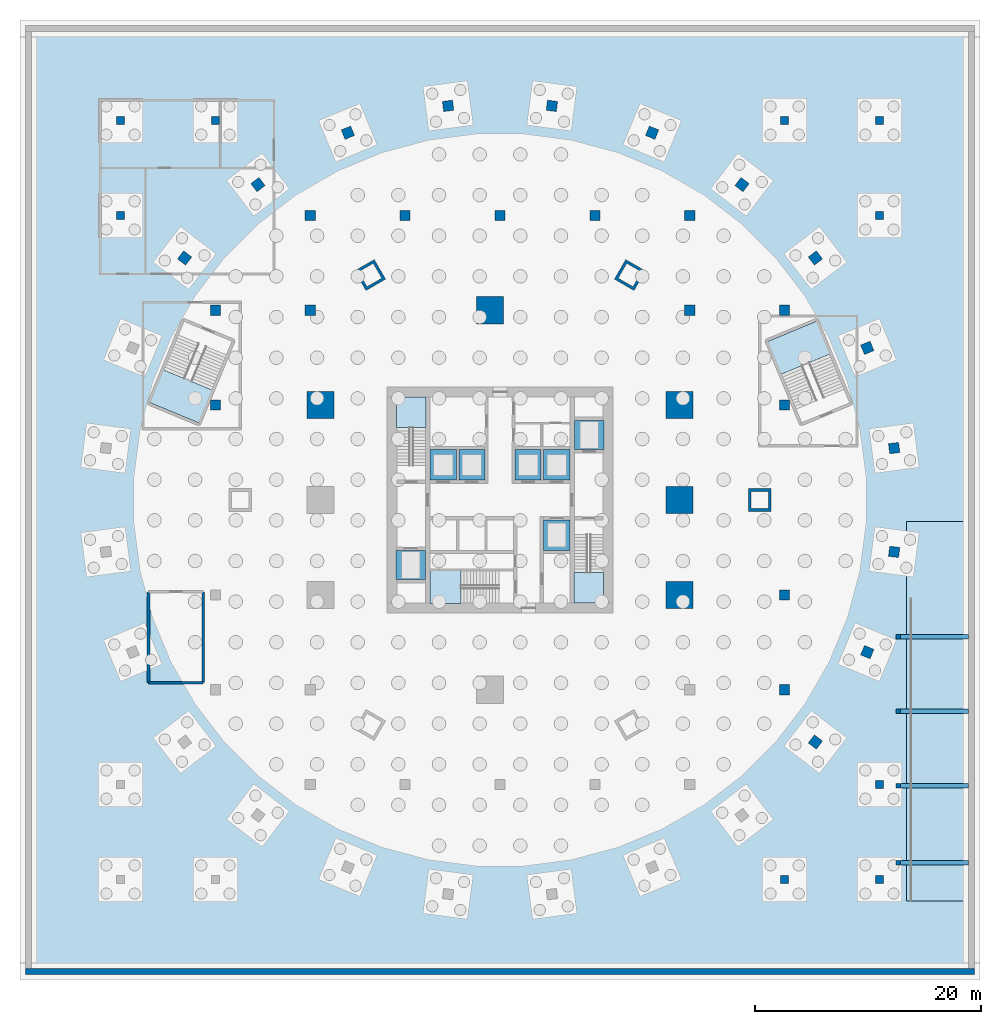
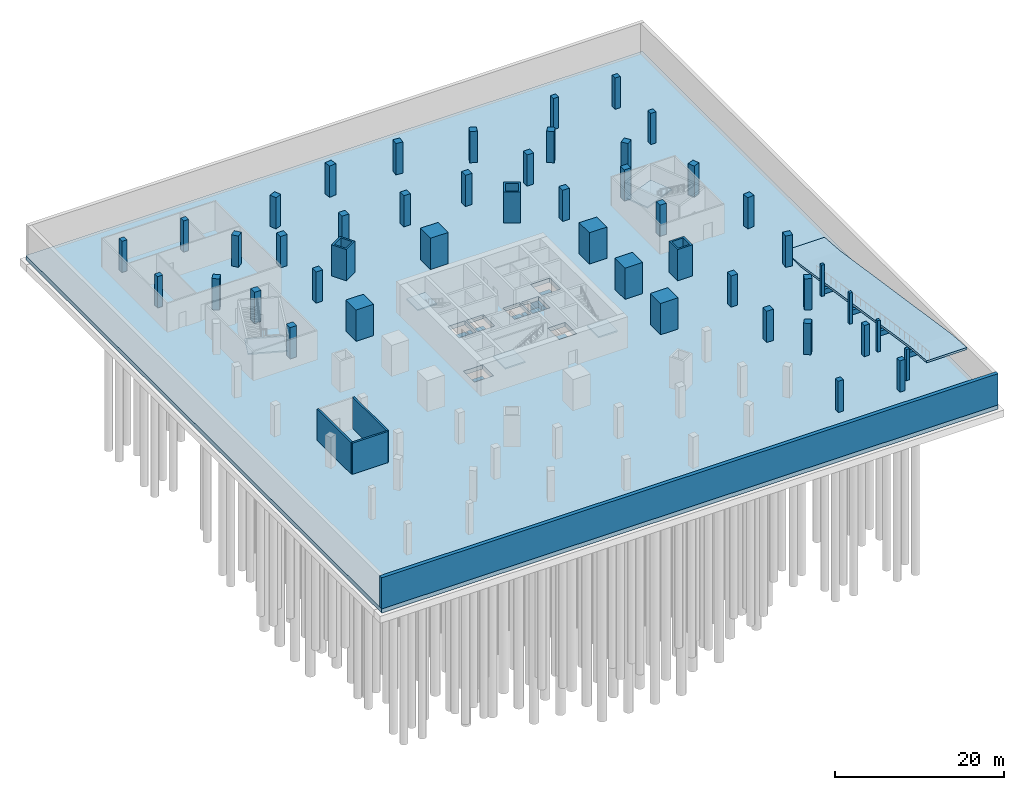
# One storey, part 3 of 12: 47 columns, 14 slabs, 4 beams, 4 walls, 5 elements without a shape of their own.
"""IFC4 building model written with IfcOpenShell, lengths in metres."""

from ifc_helpers import new_model, si_unit, direction, frame, frame_2d, origin, origin_2d, place, context, subcontext, project, spatial, polyline, rectangle, hollow_rectangle, outline, extrude, material, layer, layer_set, material_profile, profile_set, type_object, element, aggregate, save


model = new_model("IFC4")

# Units and contexts
model_context = context("Model", 3, precision=1e-05, world=origin(), true_north=direction((0.0, 1.0)))
body_context = subcontext(model_context, "Body", "Model", "MODEL_VIEW")
ifc_project = project(units=[si_unit("LENGTHUNIT", "METRE"), si_unit("AREAUNIT", "SQUARE_METRE"), si_unit("VOLUMEUNIT", "CUBIC_METRE"), si_unit("PLANEANGLEUNIT", "RADIAN"), si_unit("MASSUNIT", "GRAM", prefix="KILO")], contexts=[model_context])

# Site, building, storey
site_placement = place(None, origin())
site = spatial("IfcSite", under=ifc_project, at=site_placement, CompositionType="ELEMENT")
building_placement = place(site_placement, origin())
building = spatial("IfcBuilding", under=site, at=building_placement, Name="Golbaran Civic Tower", CompositionType="ELEMENT")
storey_placement = place(building_placement, frame((0.0, 0.0, -13.5)))
storey = spatial("IfcBuildingStorey", under=building, at=storey_placement, Name="B3", CompositionType="ELEMENT", Elevation=-13.5)

# Columns
ifc_material_1 = material(Name="Concrete C50/60", Category="concrete")
ifc_material_profile_1 = material_profile(ifc_material_1, rectangle(XDim=0.699951171875, YDim=0.699951171875, at=origin_2d()), Name="RC 700x700")
ifc_profile_set_1 = profile_set([ifc_material_profile_1], Name="Concrete C50/60")
column_type_1 = type_object("IfcColumnType", Name="BASEMENT COLUMN RC 700x700", PredefinedType="COLUMN", material=ifc_profile_set_1)
for number, where, z_axis, x_axis, name in (
    (1, (-33.60009765625, 25.199951171875, 0.0), (0.0, 0.0, 1.0), (1.0, 0.0, 0.0), "Column 2/J B3"),
    (2, (-33.60009765625, 33.60009765625, 0.0), (0.0, 0.0, 1.0), (1.0, 0.0, 0.0), "Column 2/K B3"),
    (3, (-25.199951171875, 33.60009765625, 0.0), (0.0, 0.0, 1.0), (1.0, 0.0, 0.0), "Column 3/K B3"),
    (4, (25.199951171875, -33.60009765625, 0.0), (0.0, 0.0, 1.0), (1.0, 0.0, 0.0), "Column 9/B B3"),
    (5, (25.199951171875, 33.60009765625, 0.0), (0.0, 0.0, 1.0), (1.0, 0.0, 0.0), "Column 9/K B3"),
    (6, (33.60009765625, -33.60009765625, 0.0), (0.0, 0.0, 1.0), (1.0, 0.0, 0.0), "Column 10/B B3"),
    (7, (33.60009765625, -25.199951171875, 0.0), (0.0, 0.0, 1.0), (1.0, 0.0, 0.0), "Column 10/C B3"),
    (8, (33.60009765625, 25.199951171875, 0.0), (0.0, 0.0, 1.0), (1.0, 0.0, 0.0), "Column 10/J B3"),
    (9, (33.60009765625, 33.60009765625, 0.0), (0.0, 0.0, 1.0), (1.0, 0.0, 0.0), "Column 10/K B3"),
):
    element("IfcColumn", number, at=place(storey_placement, frame(where, z_axis=z_axis, x_axis=x_axis)), inside=storey, type_object=column_type_1, Name=name, PredefinedType="COLUMN", context=body_context, shape_type="SweptSolid", body=[
        extrude(rectangle(XDim=0.699951171875, YDim=0.699951171875, at=origin_2d()), origin(), (0.0, 0.0, 1.0), 4.5),
    ])
ifc_material_2 = material(Name="Steel S355", Category="steel")
ifc_material_profile_2 = material_profile(ifc_material_2, hollow_rectangle(XDim=2.0, YDim=2.0, WallThickness=0.239990234375, at=origin_2d()), Name="BOX 2000x2000x240")
ifc_profile_set_2 = profile_set([ifc_material_profile_2], Name="Steel S355")
column_type_2 = type_object("IfcColumnType", Name="MEGA COLUMN BOX 2000x2000x240", PredefinedType="COLUMN", material=ifc_profile_set_2)
for number, where, z_axis, x_axis, name in (
    (10, (23.0, 0.0, 0.0), (0.0, 0.0, 1.0), (1.0, 0.0, 0.0), "Column mega 0 B3"),
    (11, (11.5, 19.918701171875, 0.0), (0.0, 0.0, 1.0), (0.5, 0.866025403784, 0.0), "Column mega 60 B3"),
    (12, (-11.5, 19.918701171875, 0.0), (0.0, 0.0, 1.0), (-0.5, 0.866025403784, 0.0), "Column mega 120 B3"),
):
    element("IfcColumn", number, at=place(storey_placement, frame(where, z_axis=z_axis, x_axis=x_axis)), inside=storey, type_object=column_type_2, Name=name, PredefinedType="COLUMN", context=body_context, shape_type="SweptSolid", body=[
        extrude(hollow_rectangle(XDim=2.0, YDim=2.0, WallThickness=0.239990234375, at=origin_2d()), origin(), (0.0, 0.0, 1.0), 4.5),
    ])
ifc_material_profile_3 = material_profile(ifc_material_1, rectangle(XDim=0.89990234375, YDim=0.89990234375, at=origin_2d()), Name="RC 900x900")
ifc_profile_set_3 = profile_set([ifc_material_profile_3], Name="Concrete C50/60")
column_type_3 = type_object("IfcColumnType", Name="PODIUM COLUMN RC 900x900", PredefinedType="COLUMN", material=ifc_profile_set_3)
for number, where, z_axis, x_axis, name in (
    (13, (-25.199951171875, 8.39990234375, 0.0), (0.0, 0.0, 1.0), (1.0, 0.0, 0.0), "Column 3/G B3"),
    (14, (-25.199951171875, 16.800048828125, 0.0), (0.0, 0.0, 1.0), (1.0, 0.0, 0.0), "Column 3/H B3"),
    (15, (-16.800048828125, 16.800048828125, 0.0), (0.0, 0.0, 1.0), (1.0, 0.0, 0.0), "Column 4/H B3"),
    (16, (-16.800048828125, 25.199951171875, 0.0), (0.0, 0.0, 1.0), (1.0, 0.0, 0.0), "Column 4/J B3"),
    (17, (-8.39990234375, 25.199951171875, 0.0), (0.0, 0.0, 1.0), (1.0, 0.0, 0.0), "Column 5/J B3"),
    (18, (0.0, 25.199951171875, 0.0), (0.0, 0.0, 1.0), (1.0, 0.0, 0.0), "Column 6/J B3"),
    (19, (8.39990234375, 25.199951171875, 0.0), (0.0, 0.0, 1.0), (1.0, 0.0, 0.0), "Column 7/J B3"),
    (20, (16.800048828125, 16.800048828125, 0.0), (0.0, 0.0, 1.0), (1.0, 0.0, 0.0), "Column 8/H B3"),
    (21, (16.800048828125, 25.199951171875, 0.0), (0.0, 0.0, 1.0), (1.0, 0.0, 0.0), "Column 8/J B3"),
    (22, (25.199951171875, -16.800048828125, 0.0), (0.0, 0.0, 1.0), (1.0, 0.0, 0.0), "Column 9/D B3"),
    (23, (25.199951171875, -8.39990234375, 0.0), (0.0, 0.0, 1.0), (1.0, 0.0, 0.0), "Column 9/E B3"),
    (24, (25.199951171875, 8.39990234375, 0.0), (0.0, 0.0, 1.0), (1.0, 0.0, 0.0), "Column 9/G B3"),
    (25, (25.199951171875, 16.800048828125, 0.0), (0.0, 0.0, 1.0), (1.0, 0.0, 0.0), "Column 9/H B3"),
):
    element("IfcColumn", number, at=place(storey_placement, frame(where, z_axis=z_axis, x_axis=x_axis)), inside=storey, type_object=column_type_3, Name=name, PredefinedType="COLUMN", context=body_context, shape_type="SweptSolid", body=[
        extrude(rectangle(XDim=0.89990234375, YDim=0.89990234375, at=origin_2d()), origin(), (0.0, 0.0, 1.0), 4.5),
    ])
ifc_material_profile_4 = material_profile(ifc_material_1, rectangle(XDim=2.39990234375, YDim=2.39990234375, at=origin_2d()), Name="RC 2400x2400")
ifc_profile_set_4 = profile_set([ifc_material_profile_4], Name="Concrete C50/60")
column_type_4 = type_object("IfcColumnType", Name="PODIUM COLUMN UNDER TOWER RC 2400x2400", PredefinedType="COLUMN", material=ifc_profile_set_4)
for number, where, z_axis, x_axis, name in (
    (26, (-15.89990234375, 8.39990234375, 0.0), (0.0, 0.0, 1.0), (1.0, 0.0, 0.0), "Column 4/G B3"),
    (27, (-0.89990234375, 16.800048828125, 0.0), (0.0, 0.0, 1.0), (1.0, 0.0, 0.0), "Column 6/H B3"),
    (28, (15.89990234375, -8.39990234375, 0.0), (0.0, 0.0, 1.0), (1.0, 0.0, 0.0), "Column 8/E B3"),
    (29, (15.89990234375, 0.0, 0.0), (0.0, 0.0, 1.0), (1.0, 0.0, 0.0), "Column 8/F B3"),
    (30, (15.89990234375, 8.39990234375, 0.0), (0.0, 0.0, 1.0), (1.0, 0.0, 0.0), "Column 8/G B3"),
):
    element("IfcColumn", number, at=place(storey_placement, frame(where, z_axis=z_axis, x_axis=x_axis)), inside=storey, type_object=column_type_4, Name=name, PredefinedType="COLUMN", context=body_context, shape_type="SweptSolid", body=[
        extrude(rectangle(XDim=2.39990234375, YDim=2.39990234375, at=origin_2d()), origin(), (0.0, 0.0, 1.0), 4.5),
    ])
ifc_material_profile_5 = material_profile(ifc_material_1, rectangle(XDim=0.89990234375, YDim=0.89990234375, at=origin_2d()), Name="RC 900x900")
ifc_profile_set_5 = profile_set([ifc_material_profile_5], Name="Concrete C50/60")
column_type_5 = type_object("IfcColumnType", Name="PODIUM EDGE COLUMN RC 900x900", PredefinedType="COLUMN", material=ifc_profile_set_5)
for number, where, z_axis, x_axis, name in (
    (31, (34.89892578125, 4.594482421875, 0.0), (0.0, 0.0, 1.0), (0.991444861374, 0.13052619222, 0.0), "Column edge 7.5 B3"),
    (32, (32.5205078125, 13.470458984375, 0.0), (0.0, 0.0, 1.0), (0.923879532511, 0.382683432365, 0.0), "Column edge 22.5 B3"),
    (33, (27.926025390625, 21.428466796875, 0.0), (0.0, 0.0, 1.0), (0.793353340291, 0.608761429009, 0.0), "Column edge 37.5 B3"),
    (34, (21.428466796875, 27.926025390625, 0.0), (0.0, 0.0, 1.0), (0.608761429009, 0.793353340291, 0.0), "Column edge 52.5 B3"),
    (35, (13.470458984375, 32.5205078125, 0.0), (0.0, 0.0, 1.0), (0.382683432365, 0.923879532511, 0.0), "Column edge 67.5 B3"),
    (36, (4.594482421875, 34.89892578125, 0.0), (0.0, 0.0, 1.0), (0.13052619222, 0.991444861374, 0.0), "Column edge 82.5 B3"),
    (37, (-4.594482421875, 34.89892578125, 0.0), (0.0, 0.0, 1.0), (-0.13052619222, 0.991444861374, 0.0), "Column edge 97.5 B3"),
    (38, (-13.470458984375, 32.5205078125, 0.0), (0.0, 0.0, 1.0), (-0.382683432365, 0.923879532511, 0.0), "Column edge 112.5 B3"),
    (39, (-21.428466796875, 27.926025390625, 0.0), (0.0, 0.0, 1.0), (-0.608761429009, 0.793353340291, 0.0), "Column edge 127.5 B3"),
    (40, (-27.926025390625, 21.428466796875, 0.0), (0.0, 0.0, 1.0), (-0.793353340291, 0.608761429009, 0.0), "Column edge 142.5 B3"),
    (41, (27.926025390625, -21.428466796875, 0.0), (0.0, 0.0, 1.0), (0.793353340291, -0.608761429009, 0.0), "Column edge 322.5 B3"),
    (42, (32.5205078125, -13.470458984375, 0.0), (0.0, 0.0, 1.0), (0.923879532511, -0.382683432365, 0.0), "Column edge 337.5 B3"),
    (43, (34.89892578125, -4.594482421875, 0.0), (0.0, 0.0, 1.0), (0.991444861374, -0.13052619222, 0.0), "Column edge 352.5 B3"),
):
    element("IfcColumn", number, at=place(storey_placement, frame(where, z_axis=z_axis, x_axis=x_axis)), inside=storey, type_object=column_type_5, Name=name, PredefinedType="COLUMN", context=body_context, shape_type="SweptSolid", body=[
        extrude(rectangle(XDim=0.89990234375, YDim=0.89990234375, at=origin_2d()), origin(), (0.0, 0.0, 1.0), 4.5),
    ])
ifc_material_profile_6 = material_profile(ifc_material_1, rectangle(XDim=0.39990234375, YDim=0.39990234375, at=origin_2d()), Name="RC 400x400")
ifc_profile_set_6 = profile_set([ifc_material_profile_6], Name="Concrete C50/60")
column_type_6 = type_object("IfcColumnType", Name="RAMP COLUMN RC 400x400", PredefinedType="COLUMN", material=ifc_profile_set_6)
for number, where, z_axis, x_axis, name in (
    (44, (35.280029296875, -32.10009765625, 0.0), (0.0, 0.0, 1.0), (1.0, 0.0, 0.0), "Ramp column 1 B3"),
    (45, (35.280029296875, -25.300048828125, 0.0), (0.0, 0.0, 1.0), (1.0, 0.0, 0.0), "Ramp column 2 B3"),
    (46, (35.280029296875, -18.699951171875, 0.0), (0.0, 0.0, 1.0), (1.0, 0.0, 0.0), "Ramp column 3 B3"),
    (47, (35.280029296875, -12.10009765625, 0.0), (0.0, 0.0, 1.0), (1.0, 0.0, 0.0), "Ramp column 4 B3"),
):
    element("IfcColumn", number, at=place(storey_placement, frame(where, z_axis=z_axis, x_axis=x_axis)), inside=storey, type_object=column_type_6, Name=name, PredefinedType="COLUMN", context=body_context, shape_type="SweptSolid", body=[
        extrude(rectangle(XDim=0.39990234375, YDim=0.39990234375, at=origin_2d()), origin(), (0.0, 0.0, 1.0), 4.5),
    ])

# Beams
ifc_material_profile_7 = material_profile(ifc_material_1, rectangle(XDim=0.39990234375, YDim=0.699951171875, at=origin_2d()), Name="RC 400x700")
ifc_profile_set_7 = profile_set([ifc_material_profile_7], Name="Concrete C50/60")
beam_type = type_object("IfcBeamType", Name="RAMP BEAM RC 400x700", PredefinedType="BEAM", material=ifc_profile_set_7)
for number, where, z_axis, x_axis, name in (
    (48, (35.280029296875, -32.10009765625, 3.580078125), (1.0, 0.0, 0.0), (0.0, 1.0, 0.0), "Ramp beam 1 B3"),
    (49, (35.280029296875, -25.300048828125, 2.56005859375), (1.0, 0.0, 0.0), (0.0, 1.0, 0.0), "Ramp beam 2 B3"),
    (50, (35.280029296875, -18.699951171875, 1.570068359375), (1.0, 0.0, 0.0), (0.0, 1.0, 0.0), "Ramp beam 3 B3"),
    (51, (35.280029296875, -12.10009765625, 0.580078125), (1.0, 0.0, 0.0), (0.0, 1.0, 0.0), "Ramp beam 4 B3"),
):
    element("IfcBeam", number, at=place(storey_placement, frame(where, z_axis=z_axis, x_axis=x_axis)), inside=storey, type_object=beam_type, Name=name, PredefinedType="BEAM", context=body_context, shape_type="SweptSolid", body=[
        extrude(rectangle(XDim=0.39990234375, YDim=0.699951171875, at=origin_2d()), origin(), (0.0, 0.0, 1.0), 6.219970703125),
    ])

# Slabs
ifc_material_3 = material(Name="Concrete C35/45", Category="concrete")
ifc_layer_1 = layer(ifc_material_3, 0.60009765625, Name="Concrete C35/45")
ifc_layer_set_1 = layer_set([ifc_layer_1], Name="Concrete C35/45")
slab_type_1 = type_object("IfcSlabType", Name="BASEMENT SLAB 600", PredefinedType="BASESLAB", material=ifc_layer_set_1)
slab_1_placement = place(storey_placement, frame((0.0, 0.0, -0.60009765625)))
element("IfcSlab", 52, at=slab_1_placement, inside=storey, type_object=slab_type_1, Name="Lowest basement slab", PredefinedType="BASESLAB", context=body_context, shape_type="SweptSolid", body=[
    extrude(outline(polyline([(-42.0, 42.0), (42.0, 42.0), (42.0, -42.0), (-42.0, -42.0), (-42.0, 42.0)]), holes=[polyline([(6.60009765625, 4.449951171875), (9.199951171875, 4.449951171875), (9.199951171875, 7.050048828125), (6.60009765625, 7.050048828125), (6.60009765625, 4.449951171875)]), polyline([(3.85009765625, -4.449951171875), (6.199951171875, -4.449951171875), (6.199951171875, -1.75), (3.85009765625, -1.75), (3.85009765625, -4.449951171875)]), polyline([(3.85009765625, 1.75), (6.199951171875, 1.75), (6.199951171875, 4.449951171875), (3.85009765625, 4.449951171875), (3.85009765625, 1.75)]), polyline([(1.35009765625, 1.75), (3.64990234375, 1.75), (3.64990234375, 4.449951171875), (1.35009765625, 4.449951171875), (1.35009765625, 1.75)]), polyline([(-3.64990234375, 1.75), (-1.35009765625, 1.75), (-1.35009765625, 4.449951171875), (-3.64990234375, 4.449951171875), (-3.64990234375, 1.75)]), polyline([(-6.199951171875, 1.75), (-3.85009765625, 1.75), (-3.85009765625, 4.449951171875), (-6.199951171875, 4.449951171875), (-6.199951171875, 1.75)]), polyline([(-6.60009765625, -7.050048828125), (-6.60009765625, -4.449951171875), (-9.199951171875, -4.449951171875), (-9.199951171875, -7.050048828125), (-6.60009765625, -7.050048828125)])]), origin(), (0.0, 0.0, 1.0), 0.60009765625),
])
ifc_material_4 = material(Name="Concrete C40/50", Category="concrete")
ifc_layer_2 = layer(ifc_material_4, 0.60009765625, Name="Concrete C40/50")
ifc_layer_set_2 = layer_set([ifc_layer_2], Name="Concrete C40/50")
slab_type_2 = type_object("IfcSlabType", Name="LIFT PIT BASE 600", PredefinedType="BASESLAB", material=ifc_layer_set_2)
slab_2_placement = place(storey_placement, frame((0.0, 0.0, -3.60009765625)))
element("IfcSlab", 53, at=slab_2_placement, inside=storey, type_object=slab_type_2, Name="Lift pit base 1", PredefinedType="BASESLAB", context=body_context, shape_type="SweptSolid", body=[
    extrude(outline(polyline([(-6.199951171875, 1.75), (-3.85009765625, 1.75), (-3.85009765625, 4.449951171875), (-6.199951171875, 4.449951171875), (-6.199951171875, 1.75)])), origin(), (0.0, 0.0, 1.0), 2.0),
])
slab_3_placement = place(storey_placement, frame((0.0, 0.0, -3.60009765625)))
element("IfcSlab", 54, at=slab_3_placement, inside=storey, type_object=slab_type_2, Name="Lift pit base 2", PredefinedType="BASESLAB", context=body_context, shape_type="SweptSolid", body=[
    extrude(outline(polyline([(-3.64990234375, 1.75), (-1.35009765625, 1.75), (-1.35009765625, 4.449951171875), (-3.64990234375, 4.449951171875), (-3.64990234375, 1.75)])), origin(), (0.0, 0.0, 1.0), 2.0),
])
slab_4_placement = place(storey_placement, frame((0.0, 0.0, -3.60009765625)))
element("IfcSlab", 55, at=slab_4_placement, inside=storey, type_object=slab_type_2, Name="Lift pit base 3", PredefinedType="BASESLAB", context=body_context, shape_type="SweptSolid", body=[
    extrude(outline(polyline([(1.35009765625, 1.75), (3.64990234375, 1.75), (3.64990234375, 4.449951171875), (1.35009765625, 4.449951171875), (1.35009765625, 1.75)])), origin(), (0.0, 0.0, 1.0), 2.0),
])
slab_5_placement = place(storey_placement, frame((0.0, 0.0, -3.60009765625)))
element("IfcSlab", 56, at=slab_5_placement, inside=storey, type_object=slab_type_2, Name="Lift pit base 4", PredefinedType="BASESLAB", context=body_context, shape_type="SweptSolid", body=[
    extrude(outline(polyline([(3.85009765625, 1.75), (6.199951171875, 1.75), (6.199951171875, 4.449951171875), (3.85009765625, 4.449951171875), (3.85009765625, 1.75)])), origin(), (0.0, 0.0, 1.0), 2.0),
])
slab_6_placement = place(storey_placement, frame((0.0, 0.0, -3.60009765625)))
element("IfcSlab", 57, at=slab_6_placement, inside=storey, type_object=slab_type_2, Name="Lift pit base 5", PredefinedType="BASESLAB", context=body_context, shape_type="SweptSolid", body=[
    extrude(outline(polyline([(3.85009765625, -4.449951171875), (6.199951171875, -4.449951171875), (6.199951171875, -1.75), (3.85009765625, -1.75), (3.85009765625, -4.449951171875)])), origin(), (0.0, 0.0, 1.0), 2.0),
])
slab_7_placement = place(storey_placement, frame((0.0, 0.0, -3.60009765625)))
element("IfcSlab", 58, at=slab_7_placement, inside=storey, type_object=slab_type_2, Name="Lift pit base 6", PredefinedType="BASESLAB", context=body_context, shape_type="SweptSolid", body=[
    extrude(outline(polyline([(-9.199951171875, -7.050048828125), (-6.60009765625, -7.050048828125), (-6.60009765625, -4.449951171875), (-9.199951171875, -4.449951171875), (-9.199951171875, -7.050048828125)])), origin(), (0.0, 0.0, 1.0), 2.0),
])
slab_8_placement = place(storey_placement, frame((0.0, 0.0, -3.60009765625)))
element("IfcSlab", 59, at=slab_8_placement, inside=storey, type_object=slab_type_2, Name="Lift pit base 7", PredefinedType="BASESLAB", context=body_context, shape_type="SweptSolid", body=[
    extrude(outline(polyline([(6.60009765625, 4.449951171875), (9.199951171875, 4.449951171875), (9.199951171875, 7.050048828125), (6.60009765625, 7.050048828125), (6.60009765625, 4.449951171875)])), origin(), (0.0, 0.0, 1.0), 2.0),
])

# Stair, slab
stair_type_1 = type_object("IfcStairType", Name="EXIT STAIR 2500 x 7350, 4500 RISE", PredefinedType="HALF_TURN_STAIR", material=ifc_material_3)
stair_1_placement = place(storey_placement, origin())
stair_1 = element("IfcStair", 60, at=stair_1_placement, inside=storey, type_object=stair_type_1, Name="Stair S1 B3", PredefinedType="HALF_TURN_STAIR")
ifc_layer_3 = layer(ifc_material_3, 0.199951171875, Name="Concrete C35/45")
ifc_layer_set_3 = layer_set([ifc_layer_3], Name="Concrete C35/45")
slab_type_3 = type_object("IfcSlabType", Name="STAIR LANDING 200", PredefinedType="LANDING", material=ifc_layer_set_3)
slab_9_placement = place(storey_placement, frame((0.0, 0.0, 2.050048828125)))
slab_9 = element("IfcSlab", 61, at=slab_9_placement, type_object=slab_type_3, Name="ST25074-45 landing 1", PredefinedType="LANDING", context=body_context, shape_type="SweptSolid", body=[
    extrude(outline(polyline([(-9.14990234375, 6.405029296875), (-9.14990234375, 9.10009765625), (-6.550048828125, 9.10009765625), (-6.550048828125, 6.405029296875), (-9.14990234375, 6.405029296875)])), origin(), (0.0, 0.0, 1.0), 0.199951171875),
])
aggregate(stair_1, [slab_9])

stair_2_placement = place(storey_placement, origin())
stair_2 = element("IfcStair", 62, at=stair_2_placement, inside=storey, type_object=stair_type_1, Name="Stair S2 B3", PredefinedType="HALF_TURN_STAIR")
slab_10_placement = place(storey_placement, frame((0.0, 0.0, 2.050048828125)))
slab_10 = element("IfcSlab", 63, at=slab_10_placement, type_object=slab_type_3, Name="ST25074-45 landing 1", PredefinedType="LANDING", context=body_context, shape_type="SweptSolid", body=[
    extrude(outline(polyline([(9.14990234375, -6.405029296875), (9.14990234375, -9.10009765625), (6.550048828125, -9.10009765625), (6.550048828125, -6.405029296875), (9.14990234375, -6.405029296875)])), origin(), (0.0, 0.0, 1.0), 0.199951171875),
])
aggregate(stair_2, [slab_10])

stair_type_2 = type_object("IfcStairType", Name="EXIT STAIR 2800 x 7400, 4500 RISE", PredefinedType="HALF_TURN_STAIR", material=ifc_material_3)
stair_3_placement = place(storey_placement, origin())
stair_3 = element("IfcStair", 64, at=stair_3_placement, inside=storey, type_object=stair_type_2, Name="Stair S3 B3", PredefinedType="HALF_TURN_STAIR")
slab_11_placement = place(storey_placement, frame((0.0, 0.0, 2.050048828125)))
slab_11 = element("IfcSlab", 65, at=slab_11_placement, type_object=slab_type_3, Name="ST28074-45 landing 1", PredefinedType="LANDING", context=body_context, shape_type="SweptSolid", body=[
    extrude(outline(polyline([(-3.455078125, -9.14990234375), (-6.199951171875, -9.14990234375), (-6.199951171875, -6.25), (-3.455078125, -6.25), (-3.455078125, -9.14990234375)])), origin(), (0.0, 0.0, 1.0), 0.199951171875),
])
aggregate(stair_3, [slab_11])

stair_type_3 = type_object("IfcStairType", Name="EXIT STAIR 4600 x 7800, 4500 RISE", PredefinedType="HALF_TURN_STAIR", material=ifc_material_3)
stair_4_placement = place(storey_placement, origin())
stair_4 = element("IfcStair", 66, at=stair_4_placement, inside=storey, type_object=stair_type_3, Name="Stair P1 B3", PredefinedType="HALF_TURN_STAIR")
slab_12_placement = place(storey_placement, frame((0.0, 0.0, 2.050048828125)))
slab_12 = element("IfcSlab", 67, at=slab_12_placement, type_object=slab_type_3, Name="ST46078-45 landing 1", PredefinedType="LANDING", context=body_context, shape_type="SweptSolid", body=[
    extrude(outline(polyline([(24.88671875, 11.125732421875), (23.683349609375, 14.03125), (28.025390625, 15.829833984375), (29.22900390625, 12.92431640625), (24.88671875, 11.125732421875)])), origin(), (0.0, 0.0, 1.0), 0.199951171875),
])
aggregate(stair_4, [slab_12])

stair_5_placement = place(storey_placement, origin())
stair_5 = element("IfcStair", 68, at=stair_5_placement, inside=storey, type_object=stair_type_3, Name="Stair P2 B3", PredefinedType="HALF_TURN_STAIR")
slab_13_placement = place(storey_placement, frame((0.0, 0.0, 2.050048828125)))
slab_13 = element("IfcSlab", 69, at=slab_13_placement, type_object=slab_type_3, Name="ST46078-45 landing 1", PredefinedType="LANDING", context=body_context, shape_type="SweptSolid", body=[
    extrude(outline(polyline([(-25.464599609375, 9.730712890625), (-26.668212890625, 6.824951171875), (-31.010498046875, 8.62353515625), (-29.806884765625, 11.529296875), (-25.464599609375, 9.730712890625)])), origin(), (0.0, 0.0, 1.0), 0.199951171875),
])
aggregate(stair_5, [slab_13])

# Slab
ifc_layer_4 = layer(ifc_material_3, 0.300048828125, Name="Concrete C35/45")
ifc_layer_set_4 = layer_set([ifc_layer_4], Name="Concrete C35/45")
slab_type_4 = type_object("IfcSlabType", Name="VEHICLE RAMP SLAB 300", PredefinedType="FLOOR", material=ifc_layer_set_4)
slab_14_placement = place(storey_placement, frame((36.0, -35.5, 13.5), z_axis=(0.0, 0.0, 1.0), x_axis=(0.0, 1.0, 0.0)))
element("IfcSlab", 70, at=slab_14_placement, inside=storey, type_object=slab_type_4, Name="Vehicle ramp B2 to B3", PredefinedType="FLOOR", context=body_context, shape_type="SweptSolid", body=[
    extrude(outline(polyline([(0.0, -9.0), (3.60009765625, -9.27001953125), (30.0, -13.22998046875), (33.60009765625, -13.5), (33.60009765625, -13.800048828125), (30.0, -13.530029296875), (3.60009765625, -9.570068359375), (0.0, -9.300048828125), (0.0, -9.0)])), frame((0.0, 0.0, 0.0), z_axis=(0.0, -1.0, 0.0), x_axis=(1.0, 0.0, 0.0)), (0.0, 0.0, 1.0), 5.5),
])

# Walls
ifc_layer_5 = layer(ifc_material_1, 0.5, Name="Concrete C50/60")
ifc_layer_set_5 = layer_set([ifc_layer_5], Name="Concrete C50/60")
wall_type_1 = type_object("IfcWallType", Name="BASEMENT RETAINING WALL CONCRETE 500", PredefinedType="SOLIDWALL", material=ifc_layer_set_5)
wall_1_placement = place(storey_placement, frame((42.0, -41.75, 0.0), z_axis=(0.0, 0.0, 1.0), x_axis=(-1.0, 0.0, 0.0)))
element("IfcWall", 71, at=wall_1_placement, inside=storey, type_object=wall_type_1, Name="Basement retaining wall S B3", PredefinedType="SOLIDWALL", context=body_context, shape_type="SweptSolid", body=[
    extrude(rectangle(XDim=84.0, YDim=0.5, at=frame_2d((42.0, 0.0))), origin(), (0.0, 0.0, 1.0), 4.5),
])
ifc_layer_6 = layer(ifc_material_1, 0.25, Name="Concrete C50/60")
ifc_layer_set_6 = layer_set([ifc_layer_6], Name="Concrete C50/60")
wall_type_2 = type_object("IfcWallType", Name="STAIR ENCLOSURE WALL CONCRETE 250", PredefinedType="SOLIDWALL", material=ifc_layer_set_6)
wall_2_placement = place(storey_placement, frame((-26.27490234375, -8.125, 0.0), z_axis=(0.0, 0.0, 1.0), x_axis=(0.0, -1.0, 0.0)))
element("IfcWall", 72, at=wall_2_placement, inside=storey, type_object=wall_type_2, Name="P3 enclosure B B3", PredefinedType="SOLIDWALL", context=body_context, shape_type="SweptSolid", body=[
    extrude(rectangle(XDim=8.050048828125, YDim=0.25, at=frame_2d((4.02490234375, 0.0))), origin(), (0.0, 0.0, 1.0), 4.5),
])
wall_3_placement = place(storey_placement, frame((-26.27490234375, -16.175048828125, 0.0), z_axis=(0.0, 0.0, 1.0), x_axis=(-1.0, 0.0, 0.0)))
element("IfcWall", 73, at=wall_3_placement, inside=storey, type_object=wall_type_2, Name="P3 enclosure C B3", PredefinedType="SOLIDWALL", context=body_context, shape_type="SweptSolid", body=[
    extrude(rectangle(XDim=4.85009765625, YDim=0.25, at=frame_2d((2.425048828125, 0.0))), origin(), (0.0, 0.0, 1.0), 4.5),
])
wall_4_placement = place(storey_placement, frame((-31.125, -16.175048828125, 0.0), z_axis=(0.0, 0.0, 1.0), x_axis=(0.0, 1.0, 0.0)))
element("IfcWall", 74, at=wall_4_placement, inside=storey, type_object=wall_type_2, Name="P3 enclosure D B3", PredefinedType="SOLIDWALL", context=body_context, shape_type="SweptSolid", body=[
    extrude(rectangle(XDim=8.050048828125, YDim=0.25, at=frame_2d((4.02490234375, 0.0))), origin(), (0.0, 0.0, 1.0), 4.5),
])

save(model, "model.ifc")
